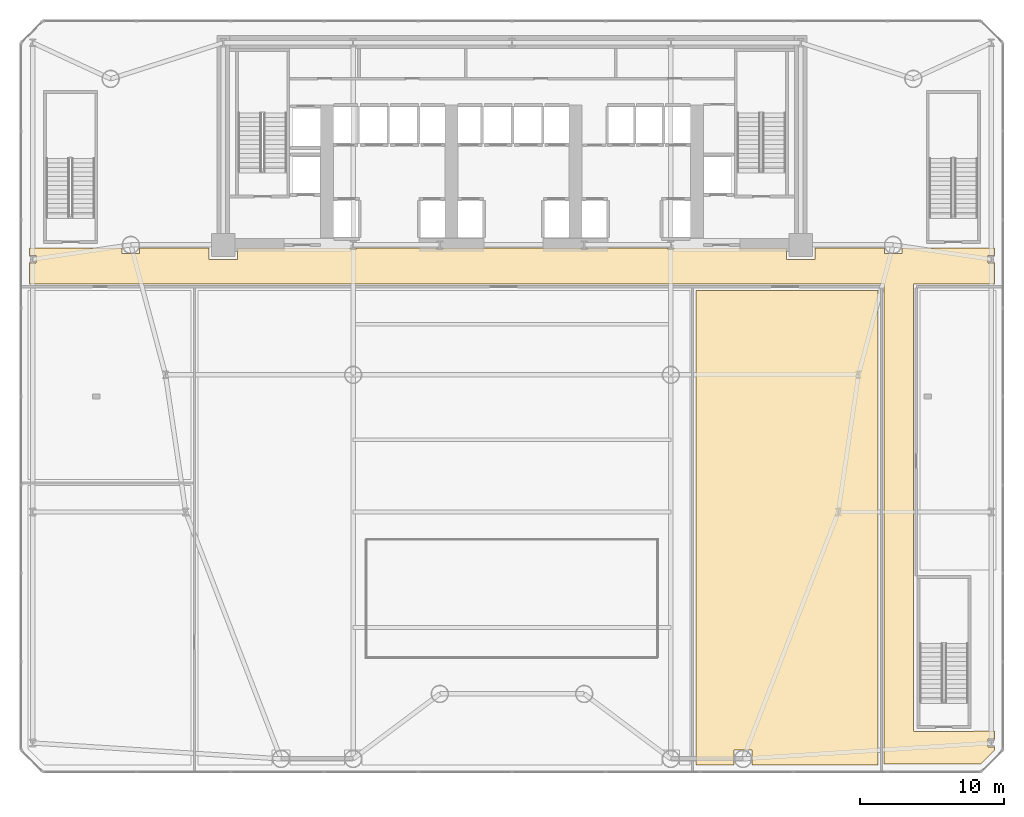
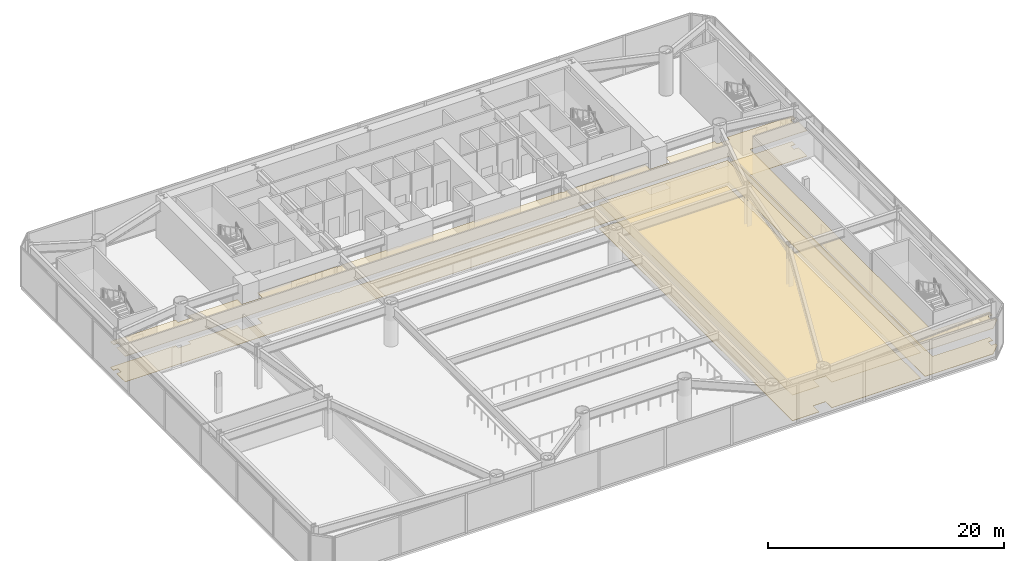
# One storey, part 20 of 24: 4 coverings.
"""IFC4 building model written with IfcOpenShell, lengths in metres."""

from ifc_helpers import new_model, si_unit, direction, frame, origin, place, context, subcontext, project, spatial, polyline, outline, extrude, material, layer, layer_set, type_object, element, save


model = new_model("IFC4")

# Units and contexts
model_context = context("Model", 3, precision=1e-05, world=origin(), true_north=direction((0.0, 1.0)))
body_context = subcontext(model_context, "Body", "Model", "MODEL_VIEW")
ifc_project = project(units=[si_unit("LENGTHUNIT", "METRE"), si_unit("AREAUNIT", "SQUARE_METRE"), si_unit("VOLUMEUNIT", "CUBIC_METRE"), si_unit("PLANEANGLEUNIT", "RADIAN"), si_unit("MASSUNIT", "GRAM", prefix="KILO")], contexts=[model_context])

# Site, building, storey
site_placement = place(None, origin())
site = spatial("IfcSite", under=ifc_project, at=site_placement, CompositionType="ELEMENT")
building_placement = place(site_placement, origin())
building = spatial("IfcBuilding", under=site, at=building_placement, Name="Vaeldorn Concourse Tower", CompositionType="ELEMENT")
storey_placement = place(building_placement, frame((0.0, 0.0, 5.60009765625)))
storey = spatial("IfcBuildingStorey", under=building, at=storey_placement, Name="L01", CompositionType="ELEMENT", Elevation=5.60009765625)

# Coverings
ifc_material_1 = material(Name="Acoustic Mineral Fibre Board", Category="gypsum")
ifc_layer_1 = layer(ifc_material_1, 0.0400390625)
ifc_layer_set_1 = layer_set([ifc_layer_1], Name="Acoustic Mineral Fibre Board")
covering_type_1 = type_object("IfcCoveringType", Name="COV-CEIL-ACOUSTIC", PredefinedType="CEILING", material=ifc_layer_set_1)
covering_1_placement = place(storey_placement, frame((0.0, 0.0, 2.64990234375)))
element("IfcCovering", 1, at=covering_1_placement, inside=storey, type_object=covering_type_1, Name="Suspended Acoustic Ceiling L01-3", PredefinedType="CEILING", context=body_context, shape_type="SweptSolid", body=[
    extrude(outline(polyline([(6.990478515625, 36.300048828125), (6.990478515625, 35.890380859375), (8.20947265625, 35.890380859375), (8.20947265625, 36.300048828125), (13.0, 36.300048828125), (13.0, 35.5), (15.0, 35.5), (15.0, 36.300048828125), (22.77294921875, 36.300048828125), (22.77294921875, 36.215576171875), (23.22705078125, 36.215576171875), (23.22705078125, 36.300048828125), (28.77294921875, 36.300048828125), (28.77294921875, 36.215576171875), (29.22705078125, 36.215576171875), (29.22705078125, 36.300048828125), (38.77294921875, 36.300048828125), (38.77294921875, 36.215576171875), (39.22705078125, 36.215576171875), (39.22705078125, 36.300048828125), (44.77294921875, 36.300048828125), (44.77294921875, 36.215576171875), (45.22705078125, 36.215576171875), (45.22705078125, 36.300048828125), (53.0, 36.300048828125), (53.0, 35.5), (55.0, 35.5), (55.0, 36.300048828125), (59.79052734375, 36.300048828125), (59.79052734375, 35.890380859375), (61.009521484375, 35.890380859375), (61.009521484375, 36.300048828125), (67.419921875, 36.300048828125), (67.419921875, 35.765380859375), (66.97900390625, 35.765380859375), (66.97900390625, 35.234619140625), (67.419921875, 35.234619140625), (67.419921875, 33.780029296875), (61.820068359375, 33.780029296875), (61.820068359375, 2.820068359375), (61.85009765625, 2.820068359375), (61.85009765625, 2.800048828125), (66.0, 2.800048828125), (66.0, 2.820068359375), (67.419921875, 2.820068359375), (67.419921875, 2.265380859375), (66.97900390625, 2.265380859375), (66.97900390625, 1.734619140625), (67.419921875, 1.734619140625), (67.419921875, 1.485595703125), (66.46435546875, 0.530029296875), (59.780029296875, 0.530029296875), (59.780029296875, 33.780029296875), (0.580078125, 33.780029296875), (0.580078125, 35.234619140625), (1.02099609375, 35.234619140625), (1.02099609375, 35.765380859375), (0.580078125, 35.765380859375), (0.580078125, 36.300048828125), (6.990478515625, 36.300048828125)])), origin(), (0.0, 0.0, 1.0), 0.0400390625),
])
covering_2_placement = place(storey_placement, frame((0.0, 0.0, 2.64990234375)))
element("IfcCovering", 2, at=covering_2_placement, inside=storey, type_object=covering_type_1, Name="Suspended Acoustic Ceiling L01-5", PredefinedType="CEILING", context=body_context, shape_type="SweptSolid", body=[
    extrude(outline(polyline([(46.760009765625, 33.340087890625), (59.340087890625, 33.340087890625), (59.340087890625, 0.47998046875), (50.609619140625, 0.47998046875), (50.609619140625, 1.509521484375), (49.390380859375, 1.509521484375), (49.390380859375, 0.47998046875), (46.760009765625, 0.47998046875), (46.760009765625, 33.340087890625)])), origin(), (0.0, 0.0, 1.0), 0.0400390625),
])
ifc_material_2 = material(Name="Honed Limestone Terrazzo Flooring", Category="masonry")
ifc_layer_2 = layer(ifc_material_2, 0.0400390625)
ifc_layer_set_2 = layer_set([ifc_layer_2], Name="Honed Limestone Terrazzo Flooring")
covering_type_2 = type_object("IfcCoveringType", Name="COV-FLOOR-STONE", PredefinedType="FLOORING", material=ifc_layer_set_2)
covering_3_placement = place(storey_placement, origin())
element("IfcCovering", 3, at=covering_3_placement, inside=storey, type_object=covering_type_2, Name="Floor Finish Covering L01-3", PredefinedType="FLOORING", context=body_context, shape_type="SweptSolid", body=[
    extrude(outline(polyline([(6.990478515625, 36.300048828125), (6.990478515625, 35.890380859375), (8.20947265625, 35.890380859375), (8.20947265625, 36.300048828125), (13.0, 36.300048828125), (13.0, 35.5), (15.0, 35.5), (15.0, 36.300048828125), (22.77294921875, 36.300048828125), (22.77294921875, 36.215576171875), (23.22705078125, 36.215576171875), (23.22705078125, 36.300048828125), (28.77294921875, 36.300048828125), (28.77294921875, 36.215576171875), (29.22705078125, 36.215576171875), (29.22705078125, 36.300048828125), (38.77294921875, 36.300048828125), (38.77294921875, 36.215576171875), (39.22705078125, 36.215576171875), (39.22705078125, 36.300048828125), (44.77294921875, 36.300048828125), (44.77294921875, 36.215576171875), (45.22705078125, 36.215576171875), (45.22705078125, 36.300048828125), (53.0, 36.300048828125), (53.0, 35.5), (55.0, 35.5), (55.0, 36.300048828125), (59.79052734375, 36.300048828125), (59.79052734375, 35.890380859375), (61.009521484375, 35.890380859375), (61.009521484375, 36.300048828125), (67.419921875, 36.300048828125), (67.419921875, 35.765380859375), (66.97900390625, 35.765380859375), (66.97900390625, 35.234619140625), (67.419921875, 35.234619140625), (67.419921875, 33.780029296875), (61.820068359375, 33.780029296875), (61.820068359375, 2.820068359375), (61.85009765625, 2.820068359375), (61.85009765625, 2.800048828125), (66.0, 2.800048828125), (66.0, 2.820068359375), (67.419921875, 2.820068359375), (67.419921875, 2.265380859375), (66.97900390625, 2.265380859375), (66.97900390625, 1.734619140625), (67.419921875, 1.734619140625), (67.419921875, 1.485595703125), (66.46435546875, 0.530029296875), (59.780029296875, 0.530029296875), (59.780029296875, 33.780029296875), (0.580078125, 33.780029296875), (0.580078125, 35.234619140625), (1.02099609375, 35.234619140625), (1.02099609375, 35.765380859375), (0.580078125, 35.765380859375), (0.580078125, 36.300048828125), (6.990478515625, 36.300048828125)])), origin(), (0.0, 0.0, 1.0), 0.02978515625),
])
covering_4_placement = place(storey_placement, origin())
element("IfcCovering", 4, at=covering_4_placement, inside=storey, type_object=covering_type_2, Name="Floor Finish Covering L01-5", PredefinedType="FLOORING", context=body_context, shape_type="SweptSolid", body=[
    extrude(outline(polyline([(46.760009765625, 33.340087890625), (59.340087890625, 33.340087890625), (59.340087890625, 0.47998046875), (50.609619140625, 0.47998046875), (50.609619140625, 1.509521484375), (49.390380859375, 1.509521484375), (49.390380859375, 0.47998046875), (46.760009765625, 0.47998046875), (46.760009765625, 33.340087890625)])), origin(), (0.0, 0.0, 1.0), 0.02978515625),
])

save(model, "model.ifc")
